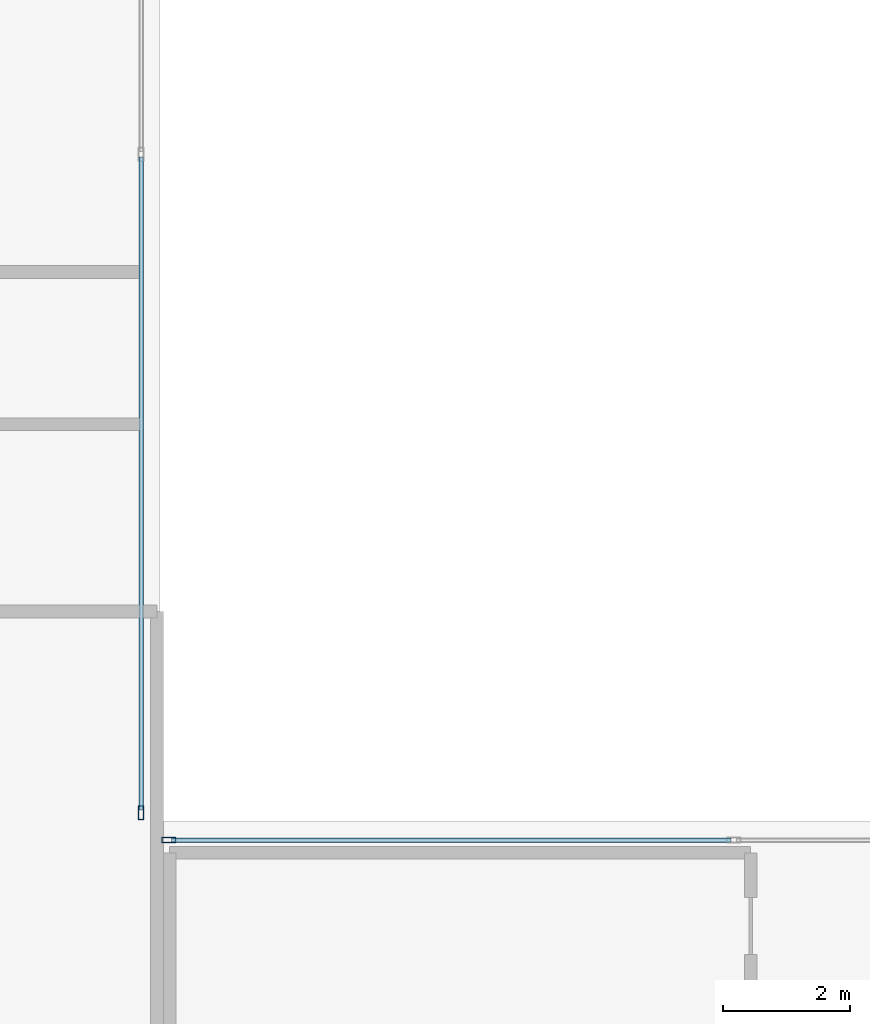
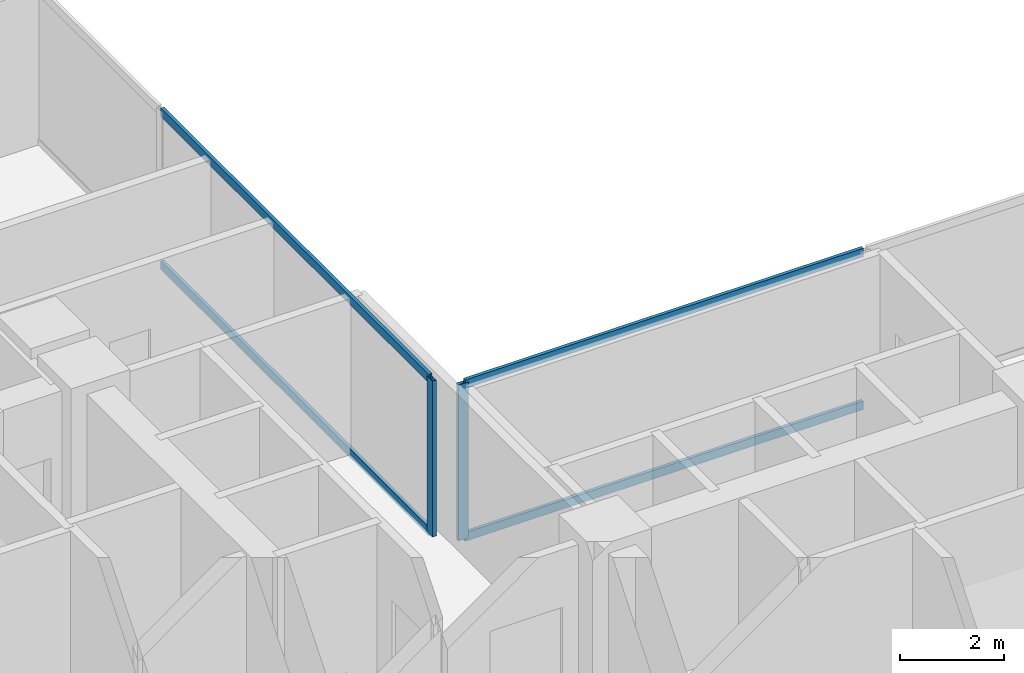
# One storey, part 7 of 27: 6 members, 2 elements without a shape of their own.
"""IFC4 building model written with IfcOpenShell, lengths in metres."""

import ifcopenshell
import ifcopenshell.guid

model = None  # the IFC model being written
_history = None  # IfcOwnerHistory: only IFC2X3 demands one
_inside = {}  # id of a spatial element -> (the spatial element, [elements in it])
_under = {}  # id of a project, library or spatial element -> (it, [spatial elements below it])
_declared = {}  # id of a project -> (the project, [libraries it declares])
_typed = {}  # id of a type object -> (the type object, [elements of that type])
_made_of = {}  # id of a material, layer set ... -> (it, [elements and type objects made of it])


def new_model(schema):
    """Start an empty IFC model of exactly this schema.

    Asked for "IFC4X3", IfcOpenShell would pick the latest addendum, in which some entities
    have other attributes; the version numbers below select the first issue.
    IFC2X3 requires an IfcOwnerHistory on every rooted entity: one is made here for all.
    """
    global model, _history
    if schema == "IFC4X3":
        model = ifcopenshell.file(schema_version=(4, 3, 0, 0))
    else:
        model = ifcopenshell.file(schema=schema)
    _inside.clear()
    _under.clear()
    _declared.clear()
    _typed.clear()
    _made_of.clear()
    _history = None
    if model.schema == "IFC2X3":
        org = make("IfcOrganization", Name="unknown")
        user = make(
            "IfcPersonAndOrganization",
            ThePerson=make("IfcPerson", FamilyName="unknown"),
            TheOrganization=org,
        )
        app = make(
            "IfcApplication",
            ApplicationDeveloper=org,
            Version="unknown",
            ApplicationFullName="unknown",
            ApplicationIdentifier="unknown",
        )
        _history = make(
            "IfcOwnerHistory",
            OwningUser=user,
            OwningApplication=app,
            ChangeAction="ADDED",
            CreationDate=0,
        )
    return model


def make(cls, **values):
    """One entity of the class cls with the attributes given. An attribute that is None is left unset."""
    return model.create_entity(
        cls, **{name: value for name, value in values.items() if value is not None}
    )


def rooted(cls, **values):
    """An entity with a GlobalId (a new one), such as an element, a storey or a relation."""
    return make(cls, GlobalId=ifcopenshell.guid.new(), OwnerHistory=_history, **values)


def si_unit(unit_type, name, prefix=None):
    """IfcSIUnit, for example si_unit("LENGTHUNIT", "METRE", prefix="MILLI")."""
    return make("IfcSIUnit", UnitType=unit_type, Prefix=prefix, Name=name)


def assignment(units):
    """IfcUnitAssignment: the units of a project."""
    return None if units is None else make("IfcUnitAssignment", Units=units)


def point(xyz):
    """IfcCartesianPoint."""
    return None if xyz is None else make("IfcCartesianPoint", Coordinates=xyz)


def direction(xyz):
    """IfcDirection."""
    return None if xyz is None else make("IfcDirection", DirectionRatios=xyz)


def frame(location, z_axis=None, x_axis=None):
    """IfcAxis2Placement3D, a coordinate frame: its origin and axes. An axis left out is left unset."""
    return make(
        "IfcAxis2Placement3D",
        Location=point(location),
        Axis=direction(z_axis),
        RefDirection=direction(x_axis),
    )


def frame_2d(location, x_axis=None):
    """IfcAxis2Placement2D, a coordinate frame in the plane: its origin and x axis."""
    return make(
        "IfcAxis2Placement2D", Location=point(location), RefDirection=direction(x_axis)
    )


def origin():
    """The frame at (0, 0, 0) with its axes left unset."""
    return frame((0.0, 0.0, 0.0))


def origin_2d():
    """The frame at (0, 0) in the plane with its x axis left unset."""
    return frame_2d((0.0, 0.0))


def place(relative_to, where):
    """IfcLocalPlacement: puts the frame where relative to a parent placement (None: the world)."""
    return make(
        "IfcLocalPlacement", PlacementRelTo=relative_to, RelativePlacement=where
    )


def context(
    kind, dimensions, precision=None, world=None, true_north=None, identifier=None
):
    """IfcGeometricRepresentationContext, for example the 3D "Model" context."""
    return make(
        "IfcGeometricRepresentationContext",
        ContextIdentifier=identifier,
        ContextType=kind,
        CoordinateSpaceDimension=dimensions,
        Precision=precision,
        WorldCoordinateSystem=world,
        TrueNorth=true_north,
    )


def subcontext(parent, identifier, kind, view, scale=None):
    """IfcGeometricRepresentationSubContext, for example "Body" below "Model"."""
    return make(
        "IfcGeometricRepresentationSubContext",
        ContextIdentifier=identifier,
        ContextType=kind,
        ParentContext=parent,
        TargetScale=scale,
        TargetView=view,
    )


def project(units=None, contexts=None):
    """IfcProject with its units and contexts."""
    return rooted(
        "IfcProject",
        Name="project",
        RepresentationContexts=contexts,
        UnitsInContext=assignment(units),
    )


def spatial(cls, under=None, at=None, **own):
    """A site, building, storey or space (cls), placed at a placement, below another one or the project."""
    s = rooted(cls, ObjectPlacement=at, **own)
    if under is not None:
        _under.setdefault(under.id(), (under, []))[1].append(s)
    return s


def profile(cls, at=None, kind="AREA", **sizes):
    """A parametric profile (cls). Its sizes go by their IFC names, for example OverallWidth=200.0."""
    return make(cls, ProfileType=kind, Position=at, **sizes)


def hollow_rectangle(**sizes):
    """IfcRectangleHollowProfileDef."""
    return profile("IfcRectangleHollowProfileDef", **sizes)


def extrude(swept, where, along, depth):
    """IfcExtrudedAreaSolid: the profile swept, set in the frame where, extruded along a direction by depth."""
    return make(
        "IfcExtrudedAreaSolid",
        SweptArea=swept,
        Position=where,
        ExtrudedDirection=direction(along),
        Depth=depth,
    )


def shape(context_of_items, identifier, shape_type, items):
    """IfcShapeRepresentation: the items that make up one representation, for example the "Body"."""
    return make(
        "IfcShapeRepresentation",
        ContextOfItems=context_of_items,
        RepresentationIdentifier=identifier,
        RepresentationType=shape_type,
        Items=items,
    )


def material(Name=None, Category=None):
    """IfcMaterial."""
    return make("IfcMaterial", Name=Name, Category=Category)


def layer(
    of_material, thickness, ventilated=None, Name=None, Category=None, Priority=None
):
    """IfcMaterialLayer: one layer of a wall or slab, of a material (None: an air gap)."""
    return make(
        "IfcMaterialLayer",
        Material=of_material,
        LayerThickness=thickness,
        IsVentilated=ventilated,
        Name=Name,
        Category=Category,
        Priority=Priority,
    )


def layer_set(layers, Name=None):
    """IfcMaterialLayerSet."""
    return make("IfcMaterialLayerSet", MaterialLayers=layers, LayerSetName=Name)


def material_profile(
    of_material, cross_section, Name=None, Category=None, Priority=None
):
    """IfcMaterialProfile: a cross section and its material."""
    return make(
        "IfcMaterialProfile",
        Name=Name,
        Material=of_material,
        Profile=cross_section,
        Priority=Priority,
        Category=Category,
    )


def profile_set(profiles, Name=None, composite=None):
    """IfcMaterialProfileSet."""
    return make(
        "IfcMaterialProfileSet",
        Name=Name,
        MaterialProfiles=profiles,
        CompositeProfile=composite,
    )


def made_of(thing, what):
    """Note that an element or type object is made of a material, layer set ...; save() writes the relation."""
    if what is not None:
        _made_of.setdefault(what.id(), (what, []))[1].append(thing)
    return thing


def type_object(cls, material=None, **own):
    """A type object (cls), such as IfcWallType, which elements share."""
    return made_of(rooted(cls, **own), material)


def element(
    cls,
    number,
    at=None,
    inside=None,
    cuts=None,
    type_object=None,
    material=None,
    context=None,
    identifier="Body",
    shape_type=None,
    held_by="IfcProductDefinitionShape",
    body=None,
    shapes=None,
    **own,
):
    """One element of the class cls, such as IfcWall. Its Tag is "e" and its number.

    at: its placement. inside: the storey or other place that contains it. cuts: it is an
    opening in that element (IfcRelVoidsElement). A single representation is given by context,
    identifier, shape_type and body (its items); several are given by shapes. held_by: the class
    of the entity that holds the representations. save() writes the other relations.
    """
    e = rooted(cls, Tag="e%d" % number, ObjectPlacement=at, **own)
    if body is not None:
        shapes = [shape(context, identifier, shape_type, body)]
    if shapes is not None:
        e.Representation = make(held_by, Representations=shapes)
    if inside is not None:
        _inside.setdefault(inside.id(), (inside, []))[1].append(e)
    if cuts is not None:
        rooted(
            "IfcRelVoidsElement", RelatingBuildingElement=cuts, RelatedOpeningElement=e
        )
    if type_object is not None:
        _typed.setdefault(type_object.id(), (type_object, []))[1].append(e)
    return made_of(e, material)


def aggregate(whole, parts):
    """IfcRelAggregates: a whole, such as a stair, and the parts it consists of."""
    return rooted("IfcRelAggregates", RelatingObject=whole, RelatedObjects=parts)


def save(model, path):
    """Write the relations noted so far, then the file.

    IfcRelAggregates (storeys below a building ...), IfcRelContainedInSpatialStructure (elements
    in a storey), IfcRelDefinesByType, IfcRelAssociatesMaterial and IfcRelDeclares: one each for
    every whole, place, type object, material and project.
    """
    for whole, parts in _under.values():
        aggregate(whole, parts)
    for where, things in _inside.values():
        rooted(
            "IfcRelContainedInSpatialStructure",
            RelatedElements=things,
            RelatingStructure=where,
        )
    for kind, things in _typed.values():
        rooted("IfcRelDefinesByType", RelatedObjects=things, RelatingType=kind)
    for what, things in _made_of.values():
        rooted("IfcRelAssociatesMaterial", RelatedObjects=things, RelatingMaterial=what)
    for by, libraries in _declared.values():
        rooted("IfcRelDeclares", RelatingContext=by, RelatedDefinitions=libraries)
    model.write(path)


model = new_model("IFC4")

# Units and contexts
model_context = context("Model", 3, precision=1e-05, world=origin(), true_north=direction((0.0, 1.0)))
body_context = subcontext(model_context, "Body", "Model", "MODEL_VIEW")
ifc_project = project(units=[si_unit("LENGTHUNIT", "METRE"), si_unit("AREAUNIT", "SQUARE_METRE"), si_unit("VOLUMEUNIT", "CUBIC_METRE"), si_unit("PLANEANGLEUNIT", "RADIAN"), si_unit("MASSUNIT", "GRAM", prefix="KILO"), si_unit("THERMODYNAMICTEMPERATUREUNIT", "KELVIN"), si_unit("POWERUNIT", "WATT")], contexts=[model_context])

# Site, building, storey
site_placement = place(None, origin())
site = spatial("IfcSite", under=ifc_project, at=site_placement, CompositionType="ELEMENT")
building_placement = place(site_placement, origin())
building = spatial("IfcBuilding", under=site, at=building_placement, Name="Svarakhadi Broadcast Tower", CompositionType="ELEMENT")
storey_placement = place(building_placement, frame((0.0, 0.0, 87.0)))
storey = spatial("IfcBuildingStorey", under=building, at=storey_placement, Name="L20", CompositionType="ELEMENT", Elevation=87.0)

# Curtain wall, member
ifc_material = material(Name="Anodised Bronze Aluminium AA 6063-T6", Category="aluminium")
ifc_layer = layer(ifc_material, 0.219970703125)
ifc_layer_set = layer_set([ifc_layer], Name="Anodised Bronze Aluminium AA 6063-T6")
curtain_wall_type = type_object("IfcCurtainWallType", Name="CW_Sys_02", PredefinedType="NOTDEFINED", material=ifc_layer_set)
curtain_wall_1_placement = place(storey_placement, origin())
curtain_wall_1 = element("IfcCurtainWall", 1, at=curtain_wall_1_placement, inside=storey, type_object=curtain_wall_type, Name="L20 Unitised Facade Curtain Wall 09", PredefinedType="NOTDEFINED")
ifc_material_profile_1 = material_profile(ifc_material, hollow_rectangle(XDim=0.0849609375, YDim=0.219970703125, WallThickness=0.006103515625, at=origin_2d()), Name="ALU MULLION 220x85x6")
ifc_profile_set_1 = profile_set([ifc_material_profile_1], Name="Anodised Bronze Aluminium AA 6063-T6")
member_type_1 = type_object("IfcMemberType", Name="CW_Sys_02_Mul", PredefinedType="MULLION", material=ifc_profile_set_1)
member_1_placement = place(storey_placement, frame((23.699951171875, 24.132568359375, 0.0), z_axis=(0.0, 0.0, 1.0), x_axis=(1.0, 0.0, 0.0)))
member_1 = element("IfcMember", 2, at=member_1_placement, type_object=member_type_1, Name="CW-02 mullion 3", PredefinedType="MULLION", context=body_context, shape_type="SweptSolid", body=[
    extrude(hollow_rectangle(XDim=0.0849609375, YDim=0.219970703125, WallThickness=0.006103515625, at=origin_2d()), origin(), (0.0, 0.0, 1.0), 3.64990234375),
])

curtain_wall_2_placement = place(storey_placement, origin())
curtain_wall_2 = element("IfcCurtainWall", 3, at=curtain_wall_2_placement, inside=storey, type_object=curtain_wall_type, Name="L20 Unitised Facade Curtain Wall 10", PredefinedType="NOTDEFINED")
member_2_placement = place(storey_placement, frame((24.132568359375, 23.699951171875, 0.0), z_axis=(0.0, 0.0, 1.0), x_axis=(0.0, 1.0, 0.0)))
member_2 = element("IfcMember", 4, at=member_2_placement, type_object=member_type_1, Name="CW-02 mullion 1", PredefinedType="MULLION", context=body_context, shape_type="SweptSolid", body=[
    extrude(hollow_rectangle(XDim=0.0849609375, YDim=0.219970703125, WallThickness=0.006103515625, at=origin_2d()), origin(), (0.0, 0.0, 1.0), 3.64990234375),
])

# Member
ifc_material_profile_2 = material_profile(ifc_material, hollow_rectangle(XDim=0.074951171875, YDim=0.199951171875, WallThickness=0.0048828125, at=origin_2d()), Name="ALU TRANSOM 200x75x5")
ifc_profile_set_2 = profile_set([ifc_material_profile_2], Name="Anodised Bronze Aluminium AA 6063-T6")
member_type_2 = type_object("IfcMemberType", Name="CW_Sys_02_Trn", PredefinedType="USERDEFINED", material=ifc_profile_set_2)
member_3_placement = place(storey_placement, frame((23.699951171875, 34.45751953125, 0.03759765625), z_axis=(0.0, -1.0, 0.0), x_axis=(1.0, 0.0, 0.0)))
member_3 = element("IfcMember", 5, at=member_3_placement, type_object=member_type_2, Name="CW-02 transom 2.1", ObjectType="TRANSOM", PredefinedType="USERDEFINED", context=body_context, shape_type="SweptSolid", body=[
    extrude(hollow_rectangle(XDim=0.074951171875, YDim=0.199951171875, WallThickness=0.0048828125, at=origin_2d()), origin(), (0.0, 0.0, 1.0), 10.282470703125),
])

member_4_placement = place(storey_placement, frame((23.699951171875, 34.45751953125, 3.612548828125), z_axis=(0.0, -1.0, 0.0), x_axis=(1.0, 0.0, 0.0)))
member_4 = element("IfcMember", 6, at=member_4_placement, type_object=member_type_2, Name="CW-02 transom 2.2", ObjectType="TRANSOM", PredefinedType="USERDEFINED", context=body_context, shape_type="SweptSolid", body=[
    extrude(hollow_rectangle(XDim=0.074951171875, YDim=0.199951171875, WallThickness=0.0048828125, at=origin_2d()), origin(), (0.0, 0.0, 1.0), 10.282470703125),
])

aggregate(curtain_wall_1, [member_1, member_3, member_4])

member_5_placement = place(storey_placement, frame((24.175048828125, 23.699951171875, 0.03759765625), z_axis=(1.0, 0.0, 0.0), x_axis=(0.0, 1.0, 0.0)))
member_5 = element("IfcMember", 7, at=member_5_placement, type_object=member_type_2, Name="CW-02 transom 1.1", ObjectType="TRANSOM", PredefinedType="USERDEFINED", context=body_context, shape_type="SweptSolid", body=[
    extrude(hollow_rectangle(XDim=0.074951171875, YDim=0.199951171875, WallThickness=0.0048828125, at=origin_2d()), origin(), (0.0, 0.0, 1.0), 8.8125),
])

member_6_placement = place(storey_placement, frame((24.175048828125, 23.699951171875, 3.612548828125), z_axis=(1.0, 0.0, 0.0), x_axis=(0.0, 1.0, 0.0)))
member_6 = element("IfcMember", 8, at=member_6_placement, type_object=member_type_2, Name="CW-02 transom 1.2", ObjectType="TRANSOM", PredefinedType="USERDEFINED", context=body_context, shape_type="SweptSolid", body=[
    extrude(hollow_rectangle(XDim=0.074951171875, YDim=0.199951171875, WallThickness=0.0048828125, at=origin_2d()), origin(), (0.0, 0.0, 1.0), 8.8125),
])

aggregate(curtain_wall_2, [member_2, member_5, member_6])

save(model, "model.ifc")
